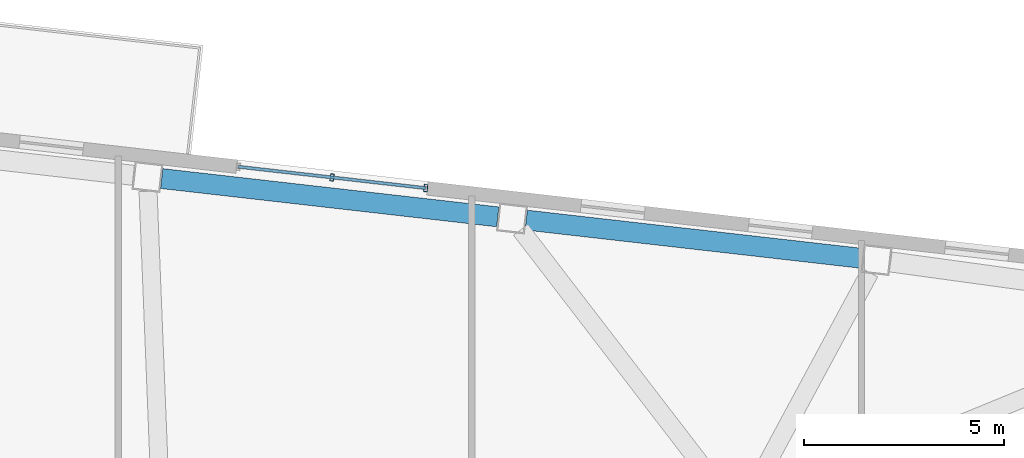
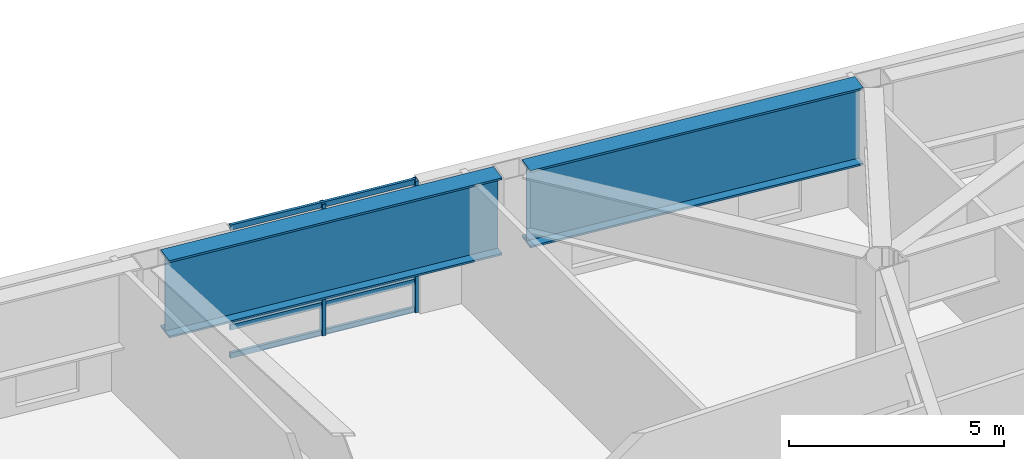
# One storey, part 9 of 21: 5 members, 2 beams, 1 element without a shape of its own.
"""IFC4 building model written with IfcOpenShell, lengths in metres."""

from ifc_helpers import new_model, si_unit, direction, frame, origin, origin_2d, place, context, subcontext, project, spatial, hollow_rectangle, i_section, extrude, material, layer, layer_set, material_profile, profile_set, type_object, element, aggregate, save


model = new_model("IFC4")

# Units and contexts
model_context = context("Model", 3, precision=1e-05, world=origin(), true_north=direction((0.0, 1.0)))
body_context = subcontext(model_context, "Body", "Model", "MODEL_VIEW")
ifc_project = project(units=[si_unit("LENGTHUNIT", "METRE"), si_unit("AREAUNIT", "SQUARE_METRE"), si_unit("VOLUMEUNIT", "CUBIC_METRE"), si_unit("PLANEANGLEUNIT", "RADIAN"), si_unit("MASSUNIT", "GRAM", prefix="KILO")], contexts=[model_context])

# Site, building, storey
site_placement = place(None, origin())
site = spatial("IfcSite", under=ifc_project, at=site_placement, CompositionType="ELEMENT")
building_placement = place(site_placement, origin())
building = spatial("IfcBuilding", under=site, at=building_placement, Name="Tavrogorsk Clinical Tower", CompositionType="ELEMENT")
storey_placement = place(building_placement, frame((0.0, 0.0, 89.39990234375)))
storey = spatial("IfcBuildingStorey", under=building, at=storey_placement, Name="L19", CompositionType="ELEMENT", Elevation=89.39990234375)

# Curtain wall, members
ifc_material_1 = material(Name="Anodised aluminium and triple IGU glazing", Category="aluminium")
ifc_layer = layer(ifc_material_1, 0.179931640625)
ifc_layer_set = layer_set([ifc_layer], Name="Anodised aluminium and triple IGU glazing")
curtain_wall_type = type_object("IfcCurtainWallType", Name="CW2_NorthSlot", PredefinedType="NOTDEFINED", material=ifc_layer_set)
curtain_wall_placement = place(storey_placement, origin())
curtain_wall = element("IfcCurtainWall", 1, at=curtain_wall_placement, inside=storey, type_object=curtain_wall_type, Name="L19 Curtain Wall CW-L19-N-SLOT-2", PredefinedType="NOTDEFINED")
ifc_material_2 = material(Name="Anodised aluminium alloy AW-6060", Category="aluminium")
ifc_material_profile_1 = material_profile(ifc_material_2, hollow_rectangle(XDim=0.090087890625, YDim=0.179931640625, WallThickness=0.00634765625, at=origin_2d()), Name="RHS-180x90x6.3")
ifc_profile_set_1 = profile_set([ifc_material_profile_1], Name="Anodised aluminium alloy AW-6060")
member_type_1 = type_object("IfcMemberType", Name="CwMullion_180x90", PredefinedType="MULLION", material=ifc_profile_set_1)
member_1_placement = place(storey_placement, frame((16.650146484375, 21.36572265625, 0.0), z_axis=(0.0, 0.0, 1.0), x_axis=(-0.993571855603, 0.11320321441, 0.0)))
member_1 = element("IfcMember", 2, at=member_1_placement, type_object=member_type_1, Name="CW-L19-N-SLOT-2 Mullion 1", PredefinedType="MULLION", context=body_context, shape_type="SweptSolid", body=[
    extrude(hollow_rectangle(XDim=0.090087890625, YDim=0.179931640625, WallThickness=0.00634765625, at=origin_2d()), origin(), (0.0, 0.0, 1.0), 3.739990234375),
])
member_2_placement = place(storey_placement, frame((14.306396484375, 21.6328125, 0.0), z_axis=(0.0, 0.0, 1.0), x_axis=(-0.993571855603, 0.11320321441, 0.0)))
member_2 = element("IfcMember", 3, at=member_2_placement, type_object=member_type_1, Name="CW-L19-N-SLOT-2 Mullion 2", PredefinedType="MULLION", context=body_context, shape_type="SweptSolid", body=[
    extrude(hollow_rectangle(XDim=0.090087890625, YDim=0.179931640625, WallThickness=0.00634765625, at=origin_2d()), origin(), (0.0, 0.0, 1.0), 3.739990234375),
])
ifc_material_3 = material(Name="Anodised aluminium alloy AW-6060", Category="aluminium")
ifc_material_profile_2 = material_profile(ifc_material_3, hollow_rectangle(XDim=0.074951171875, YDim=0.14990234375, WallThickness=0.0048828125, at=origin_2d()), Name="RHS-150x75x5")
ifc_profile_set_2 = profile_set([ifc_material_profile_2], Name="Anodised aluminium alloy AW-6060")
member_type_2 = type_object("IfcMemberType", Name="CwTransom_150x75", PredefinedType="USERDEFINED", material=ifc_profile_set_2)
member_3_placement = place(storey_placement, frame((16.650146484375, 21.36572265625, 0.050048828125), z_axis=(-0.993569315854, 0.113225503286, 0.0), x_axis=(-0.113225503286, -0.993569315854, 0.0)))
member_3 = element("IfcMember", 4, at=member_3_placement, type_object=member_type_2, Name="CW-L19-N-SLOT-2 Transom 1", ObjectType="TRANSOM", PredefinedType="USERDEFINED", context=body_context, shape_type="SweptSolid", body=[
    extrude(hollow_rectangle(XDim=0.074951171875, YDim=0.14990234375, WallThickness=0.0048828125, at=origin_2d()), origin(), (0.0, 0.0, 1.0), 4.7177734375),
])
member_4_placement = place(storey_placement, frame((16.650146484375, 21.36572265625, 0.85009765625), z_axis=(-0.993569315854, 0.113225503286, 0.0), x_axis=(-0.113225503286, -0.993569315854, 0.0)))
member_4 = element("IfcMember", 5, at=member_4_placement, type_object=member_type_2, Name="CW-L19-N-SLOT-2 Transom 2", ObjectType="TRANSOM", PredefinedType="USERDEFINED", context=body_context, shape_type="SweptSolid", body=[
    extrude(hollow_rectangle(XDim=0.074951171875, YDim=0.14990234375, WallThickness=0.0048828125, at=origin_2d()), origin(), (0.0, 0.0, 1.0), 4.7177734375),
])
member_5_placement = place(storey_placement, frame((16.650146484375, 21.36572265625, 3.690185546875), z_axis=(-0.993569315854, 0.113225503286, 0.0), x_axis=(-0.113225503286, -0.993569315854, 0.0)))
member_5 = element("IfcMember", 6, at=member_5_placement, type_object=member_type_2, Name="CW-L19-N-SLOT-2 Transom 3", ObjectType="TRANSOM", PredefinedType="USERDEFINED", context=body_context, shape_type="SweptSolid", body=[
    extrude(hollow_rectangle(XDim=0.074951171875, YDim=0.14990234375, WallThickness=0.0048828125, at=origin_2d()), origin(), (0.0, 0.0, 1.0), 4.7177734375),
])
aggregate(curtain_wall, [member_1, member_2, member_3, member_4, member_5])

# Beams
ifc_material_4 = material(Name="Structural steel S440", Category="steel")
ifc_material_profile_3 = material_profile(ifc_material_4, i_section(OverallWidth=0.5, OverallDepth=2.199951171875, WebThickness=0.035888671875, FlangeThickness=0.054931640625, at=origin_2d()), Name="DK-2200x500x36x55")
ifc_profile_set_3 = profile_set([ifc_material_profile_3], Name="Structural steel S440")
beam_type = type_object("IfcBeamType", Name="TransferGirder_DK2200", PredefinedType="USERDEFINED", material=ifc_profile_set_3)
beam_1_placement = place(storey_placement, frame((27.5703125, 19.608154296875, 2.64013671875), z_axis=(-0.993569819641, 0.113221082395, 0.0), x_axis=(-0.113221082395, -0.993569819641, 0.0)))
element("IfcBeam", 7, at=beam_1_placement, inside=storey, type_object=beam_type, Name="L19 Perimeter Spandrel N2-N3", ObjectType="GIRDER", PredefinedType="USERDEFINED", context=body_context, shape_type="SweptSolid", body=[
    extrude(i_section(OverallWidth=0.5, OverallDepth=2.199951171875, WebThickness=0.035888671875, FlangeThickness=0.054931640625, at=origin_2d()), origin(), (0.0, 0.0, 1.0), 8.46142578125),
])
beam_2_placement = place(storey_placement, frame((18.451904296875, 20.647216796875, 2.64013671875), z_axis=(-0.99357232562, 0.113199089054, 0.0), x_axis=(-0.113199089054, -0.99357232562, 0.0)))
element("IfcBeam", 8, at=beam_2_placement, inside=storey, type_object=beam_type, Name="L19 Perimeter Spandrel N3-N4", ObjectType="GIRDER", PredefinedType="USERDEFINED", context=body_context, shape_type="SweptSolid", body=[
    extrude(i_section(OverallWidth=0.5, OverallDepth=2.199951171875, WebThickness=0.035888671875, FlangeThickness=0.054931640625, at=origin_2d()), origin(), (0.0, 0.0, 1.0), 8.4609375),
])

save(model, "model.ifc")
